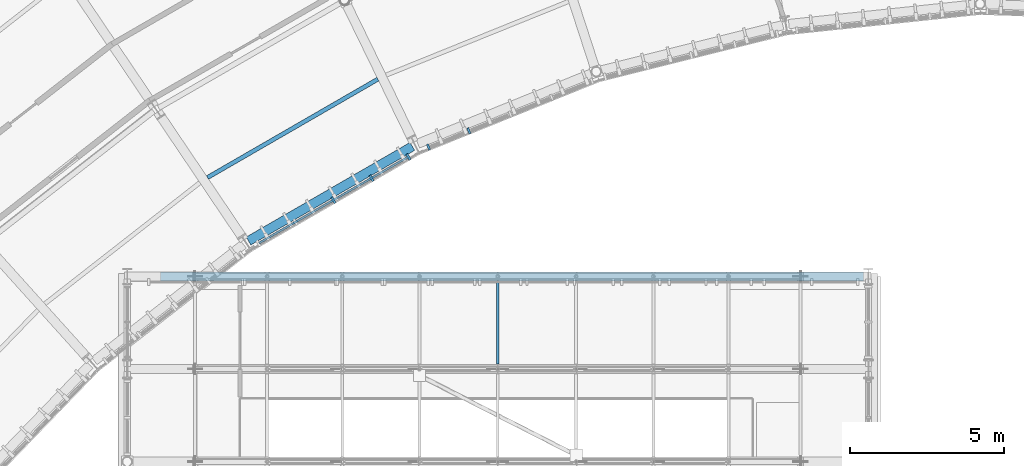
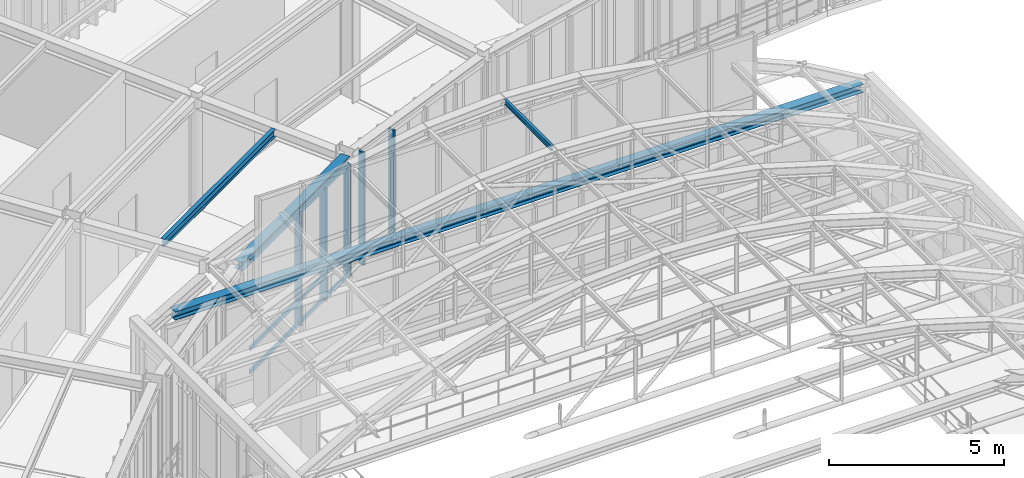
# One storey, part 71 of 148: 8 members, 4 beams, 2 elements without a shape of their own.
"""IFC4 building model written with IfcOpenShell, lengths in metres."""

from ifc_helpers import new_model, si_unit, direction, frame, origin, origin_2d, place, context, subcontext, project, spatial, rectangle, i_section, extrude, material, layer, layer_set, material_profile, profile_set, type_object, element, aggregate, save


model = new_model("IFC4")

# Units and contexts
model_context = context("Model", 3, precision=1e-05, world=origin(), true_north=direction((0.0, 1.0)))
body_context = subcontext(model_context, "Body", "Model", "MODEL_VIEW")
ifc_project = project(units=[si_unit("LENGTHUNIT", "METRE"), si_unit("AREAUNIT", "SQUARE_METRE"), si_unit("VOLUMEUNIT", "CUBIC_METRE"), si_unit("PLANEANGLEUNIT", "RADIAN"), si_unit("MASSUNIT", "GRAM", prefix="KILO"), si_unit("THERMODYNAMICTEMPERATUREUNIT", "KELVIN"), si_unit("POWERUNIT", "WATT")], contexts=[model_context])

# Site, building, storey
site_placement = place(None, origin())
site = spatial("IfcSite", under=ifc_project, at=site_placement, CompositionType="ELEMENT")
building_placement = place(site_placement, origin())
building = spatial("IfcBuilding", under=site, at=building_placement, Name="Solvatero Civic Police Headquarters", CompositionType="ELEMENT")
storey_placement = place(building_placement, frame((0.0, 0.0, 5.10009765625)))
storey = spatial("IfcBuildingStorey", under=building, at=storey_placement, Name="L01", CompositionType="ELEMENT", Elevation=5.10009765625)

# Beams
ifc_material_1 = material(Name="Steel S355", Category="steel")
ifc_material_profile_1 = material_profile(ifc_material_1, i_section(OverallWidth=0.300048828125, OverallDepth=0.2900390625, WebThickness=0.008544921875, FlangeThickness=0.013916015625, FilletRadius=0.027099609375, at=origin_2d()), Name="HEA 300")
ifc_profile_set_1 = profile_set([ifc_material_profile_1], Name="Steel S355")
beam_type_1 = type_object("IfcBeamType", Name="BM-ST-HEA300", PredefinedType="SPANDREL", material=ifc_profile_set_1)
beam_1_placement = place(storey_placement, frame((74.033203125, 66.710205078125, 3.8349609375), z_axis=(-0.86603495258, -0.499983460637, 0.0), x_axis=(0.499983460637, -0.86603495258, 0.0)))
element("IfcBeam", 1, at=beam_1_placement, inside=storey, type_object=beam_type_1, Name="Perimeter / radial spandrel beam BM-R2-L01-ARC-CIN-B05", PredefinedType="SPANDREL", context=body_context, shape_type="SweptSolid", body=[
    extrude(i_section(OverallWidth=0.300048828125, OverallDepth=0.2900390625, WebThickness=0.008544921875, FlangeThickness=0.013916015625, FilletRadius=0.027099609375, at=origin_2d()), origin(), (0.0, 0.0, 1.0), 6.126708984375),
])
beam_2_placement = place(storey_placement, frame((65.8798828125, 62.5, 3.8349609375), z_axis=(1.0, 0.0, 0.0), x_axis=(0.0, 1.0, 0.0)))
element("IfcBeam", 2, at=beam_2_placement, inside=storey, type_object=beam_type_1, Name="VLT2 Barrel Vault Springing Tie Beam F8", PredefinedType="SPANDREL", context=body_context, shape_type="SweptSolid", body=[
    extrude(i_section(OverallWidth=0.300048828125, OverallDepth=0.2900390625, WebThickness=0.008544921875, FlangeThickness=0.013916015625, FilletRadius=0.027099609375, at=origin_2d()), origin(), (0.0, 0.0, 1.0), 22.760009765625),
])
ifc_material_profile_2 = material_profile(ifc_material_1, i_section(OverallWidth=0.091064453125, OverallDepth=0.179931640625, WebThickness=0.00537109375, FlangeThickness=0.008056640625, FilletRadius=0.009033203125, at=origin_2d()), Name="IPE 180")
ifc_profile_set_2 = profile_set([ifc_material_profile_2], Name="Steel S355")
beam_type_2 = type_object("IfcBeamType", Name="BM-ST-IPE180", PredefinedType="JOIST", material=ifc_profile_set_2)
beam_3_placement = place(storey_placement, frame((76.800048828125, 59.657958984375, 7.524658203125), z_axis=(0.0, 1.0, 0.0), x_axis=(-1.0, 0.0, 0.0)))
element("IfcBeam", 3, at=beam_3_placement, inside=storey, type_object=beam_type_2, Name="VLT2 Vault Roof Purlin B7.5", PredefinedType="JOIST", context=body_context, shape_type="SweptSolid", body=[
    extrude(i_section(OverallWidth=0.091064453125, OverallDepth=0.179931640625, WebThickness=0.00537109375, FlangeThickness=0.008056640625, FilletRadius=0.009033203125, at=origin_2d()), origin(), (0.0, 0.0, 1.0), 2.68408203125),
])
ifc_material_profile_3 = material_profile(ifc_material_1, i_section(OverallWidth=0.135009765625, OverallDepth=0.27001953125, WebThickness=0.006591796875, FlangeThickness=0.01025390625, FilletRadius=0.014892578125, at=origin_2d()), Name="IPE 270")
ifc_profile_set_3 = profile_set([ifc_material_profile_3], Name="Steel S355")
beam_type_3 = type_object("IfcBeamType", Name="BM-ST-IPE270", PredefinedType="BEAM", material=ifc_profile_set_3)
beam_4_placement = place(storey_placement, frame((72.916015625, 68.887451171875, 3.844970703125), z_axis=(-0.866017059223, -0.500014452926, 0.0), x_axis=(0.500014452926, -0.866017059223, 0.0)))
element("IfcBeam", 4, at=beam_4_placement, inside=storey, type_object=beam_type_3, Name="Composite floor beam BM-R2-L01-ARC-CS1-B05", PredefinedType="BEAM", context=body_context, shape_type="SweptSolid", body=[
    extrude(i_section(OverallWidth=0.135009765625, OverallDepth=0.27001953125, WebThickness=0.006591796875, FlangeThickness=0.01025390625, FilletRadius=0.014892578125, at=origin_2d()), origin(), (0.0, 0.0, 1.0), 6.368896484375),
])

# Curtain wall, members
ifc_material_2 = material(Name="Anodized Bronze Aluminium", Category="aluminium")
ifc_layer = layer(ifc_material_2, 0.179931640625)
ifc_layer_set = layer_set([ifc_layer], Name="Anodized Bronze Aluminium")
curtain_wall_type = type_object("IfcCurtainWallType", Name="CW-ARC-IN", PredefinedType="USERDEFINED", material=ifc_layer_set)
curtain_wall_1_placement = place(storey_placement, origin())
curtain_wall_1 = element("IfcCurtainWall", 5, at=curtain_wall_1_placement, inside=storey, type_object=curtain_wall_type, Name="Curtain Wall CW-R2-L01-ARC-IN-B04", ObjectType="UNITISED", PredefinedType="USERDEFINED")
ifc_material_profile_4 = material_profile(ifc_material_2, rectangle(XDim=0.070068359375, YDim=0.199951171875, at=origin_2d()), Name="ALU MULLION 70x200")
ifc_profile_set_4 = profile_set([ifc_material_profile_4], Name="Anodized Bronze Aluminium")
member_type_1 = type_object("IfcMemberType", Name="CWM-220x80", PredefinedType="MULLION", material=ifc_profile_set_4)
member_1_placement = place(storey_placement, frame((75.862060546875, 67.216796875, 0.0), z_axis=(0.0, 0.0, 1.0), x_axis=(-0.927183854567, -0.374606593416, 0.0)))
member_1 = element("IfcMember", 6, at=member_1_placement, type_object=member_type_1, Name="CW-R2-L01-ARC-IN-B04 Mullion 4", PredefinedType="MULLION", context=body_context, shape_type="SweptSolid", body=[
    extrude(rectangle(XDim=0.070068359375, YDim=0.199951171875, at=origin_2d()), origin(), (0.0, 0.0, 1.0), 3.93994140625),
])
member_2_placement = place(storey_placement, frame((74.55810546875, 66.68994140625, 0.0), z_axis=(0.0, 0.0, 1.0), x_axis=(-0.927183854567, -0.374606593416, 0.0)))
member_2 = element("IfcMember", 7, at=member_2_placement, type_object=member_type_1, Name="CW-R2-L01-ARC-IN-B04 Mullion 5", PredefinedType="MULLION", context=body_context, shape_type="SweptSolid", body=[
    extrude(rectangle(XDim=0.070068359375, YDim=0.199951171875, at=origin_2d()), origin(), (0.0, 0.0, 1.0), 3.93994140625),
])
aggregate(curtain_wall_1, [member_1, member_2])

curtain_wall_2_placement = place(storey_placement, origin())
curtain_wall_2 = element("IfcCurtainWall", 8, at=curtain_wall_2_placement, inside=storey, type_object=curtain_wall_type, Name="Curtain Wall CW-R2-L01-ARC-IN-B05", ObjectType="UNITISED", PredefinedType="USERDEFINED")
ifc_material_profile_5 = material_profile(ifc_material_2, rectangle(XDim=0.074951171875, YDim=0.219970703125, at=origin_2d()), Name="ALU MULLION 75x220")
ifc_profile_set_5 = profile_set([ifc_material_profile_5], Name="Anodized Bronze Aluminium")
member_type_2 = type_object("IfcMemberType", Name="CWM-250x85", PredefinedType="MULLION", material=ifc_profile_set_5)
member_3_placement = place(storey_placement, frame((73.905517578125, 66.37158203125, 0.0), z_axis=(0.0, 0.0, 1.0), x_axis=(-0.866025403784, -0.5, 0.0)))
member_3 = element("IfcMember", 9, at=member_3_placement, type_object=member_type_2, Name="CW-R2-L01-ARC-IN-B05 Mullion 1", PredefinedType="MULLION", context=body_context, shape_type="SweptSolid", body=[
    extrude(rectangle(XDim=0.074951171875, YDim=0.219970703125, at=origin_2d()), origin(), (0.0, 0.0, 1.0), 3.93994140625),
])
member_4_placement = place(storey_placement, frame((72.70947265625, 65.68115234375, 0.0), z_axis=(0.0, 0.0, 1.0), x_axis=(-0.866025403784, -0.5, 0.0)))
member_4 = element("IfcMember", 10, at=member_4_placement, type_object=member_type_2, Name="CW-R2-L01-ARC-IN-B05 Mullion 2", PredefinedType="MULLION", context=body_context, shape_type="SweptSolid", body=[
    extrude(rectangle(XDim=0.074951171875, YDim=0.219970703125, at=origin_2d()), origin(), (0.0, 0.0, 1.0), 3.93994140625),
])
member_5_placement = place(storey_placement, frame((71.478515625, 64.970458984375, 0.0), z_axis=(0.0, 0.0, 1.0), x_axis=(-0.866025403784, -0.5, 0.0)))
member_5 = element("IfcMember", 11, at=member_5_placement, type_object=member_type_2, Name="CW-R2-L01-ARC-IN-B05 Mullion 3", PredefinedType="MULLION", context=body_context, shape_type="SweptSolid", body=[
    extrude(rectangle(XDim=0.074951171875, YDim=0.219970703125, at=origin_2d()), origin(), (0.0, 0.0, 1.0), 3.93994140625),
])
ifc_material_profile_6 = material_profile(ifc_material_2, rectangle(XDim=0.06494140625, YDim=0.139892578125, at=origin_2d()), Name="ALU TRANSOM 65x140")
ifc_profile_set_6 = profile_set([ifc_material_profile_6], Name="Anodized Bronze Aluminium")
member_type_3 = type_object("IfcMemberType", Name="CWT-180x70", PredefinedType="USERDEFINED", material=ifc_profile_set_6)
member_6_placement = place(storey_placement, frame((73.89697265625, 66.36669921875, 0.039794921875), z_axis=(-0.866023249352, -0.500003731568, 0.0), x_axis=(0.500003731568, -0.866023249352, 0.0)))
member_6 = element("IfcMember", 12, at=member_6_placement, type_object=member_type_3, Name="CW-R2-L01-ARC-IN-B05 Transom 1", ObjectType="TRANSOM", PredefinedType="USERDEFINED", context=body_context, shape_type="SweptSolid", body=[
    extrude(rectangle(XDim=0.06494140625, YDim=0.139892578125, at=origin_2d()), origin(), (0.0, 0.0, 1.0), 5.5849609375),
])
member_7_placement = place(storey_placement, frame((73.89697265625, 66.36669921875, 0.849853515625), z_axis=(-0.866023249352, -0.500003731568, 0.0), x_axis=(0.500003731568, -0.866023249352, 0.0)))
member_7 = element("IfcMember", 13, at=member_7_placement, type_object=member_type_3, Name="CW-R2-L01-ARC-IN-B05 Transom 2", ObjectType="TRANSOM", PredefinedType="USERDEFINED", context=body_context, shape_type="SweptSolid", body=[
    extrude(rectangle(XDim=0.06494140625, YDim=0.139892578125, at=origin_2d()), origin(), (0.0, 0.0, 1.0), 5.5849609375),
])
member_8_placement = place(storey_placement, frame((73.89697265625, 66.36669921875, 3.89990234375), z_axis=(-0.866023249352, -0.500003731568, 0.0), x_axis=(0.500003731568, -0.866023249352, 0.0)))
member_8 = element("IfcMember", 14, at=member_8_placement, type_object=member_type_3, Name="CW-R2-L01-ARC-IN-B05 Transom 3", ObjectType="TRANSOM", PredefinedType="USERDEFINED", context=body_context, shape_type="SweptSolid", body=[
    extrude(rectangle(XDim=0.06494140625, YDim=0.139892578125, at=origin_2d()), origin(), (0.0, 0.0, 1.0), 5.5849609375),
])
aggregate(curtain_wall_2, [member_3, member_4, member_5, member_6, member_7, member_8])

save(model, "model.ifc")
